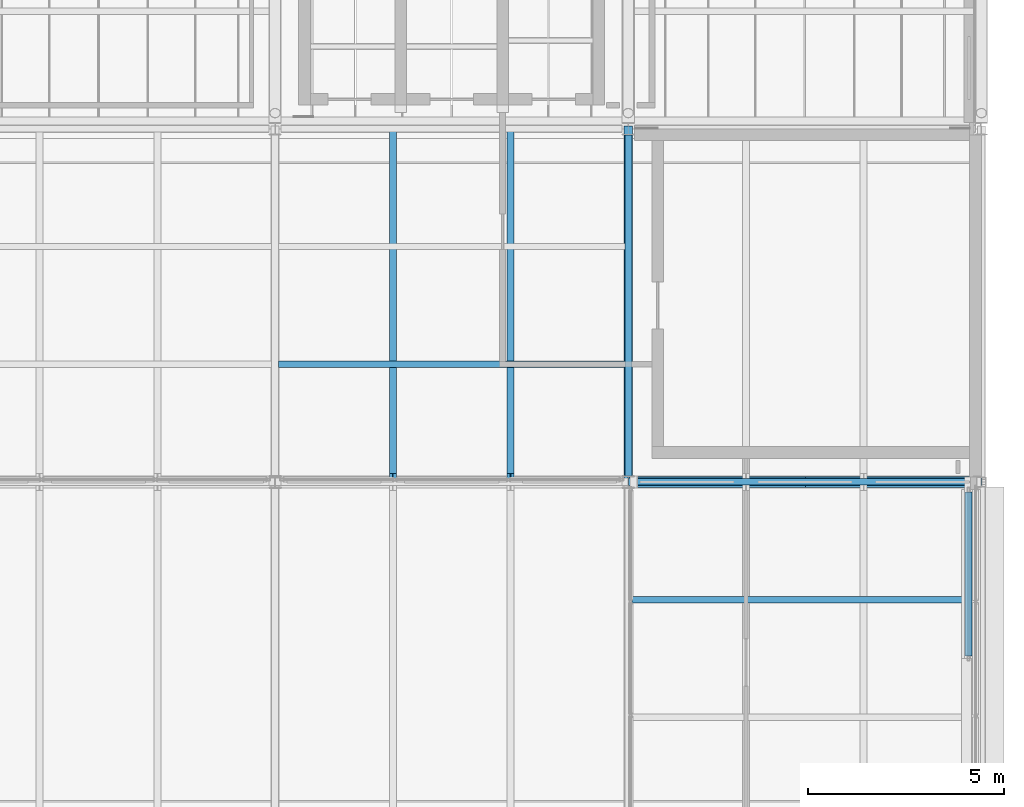
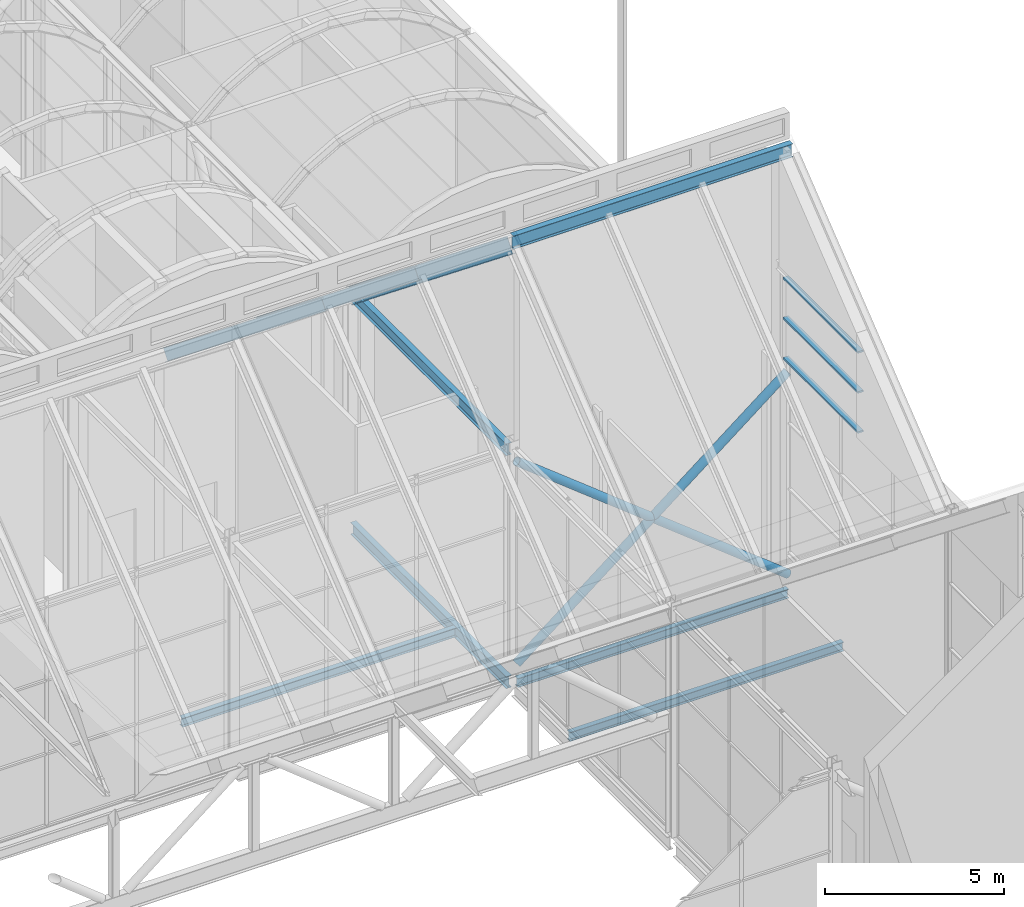
# One storey, part 91 of 144: 8 members, 6 beams, 1 element without a shape of its own.
"""IFC4 building model written with IfcOpenShell, lengths in metres."""

from ifc_helpers import new_model, si_unit, direction, frame, origin, origin_2d, place, context, subcontext, project, spatial, hollow_rectangle, hollow_circle, i_section, extrude, material, layer, layer_set, material_profile, profile_set, type_object, element, aggregate, save


model = new_model("IFC4")

# Units and contexts
model_context = context("Model", 3, precision=1e-05, world=origin(), true_north=direction((0.0, 1.0)))
body_context = subcontext(model_context, "Body", "Model", "MODEL_VIEW")
ifc_project = project(units=[si_unit("LENGTHUNIT", "METRE"), si_unit("AREAUNIT", "SQUARE_METRE"), si_unit("VOLUMEUNIT", "CUBIC_METRE"), si_unit("PLANEANGLEUNIT", "RADIAN"), si_unit("MASSUNIT", "GRAM", prefix="KILO")], contexts=[model_context])

# Site, building, storey
site_placement = place(None, origin())
site = spatial("IfcSite", under=ifc_project, at=site_placement, CompositionType="ELEMENT")
building_placement = place(site_placement, origin())
building = spatial("IfcBuilding", under=site, at=building_placement, Name="Shorebreak Coast Museum", CompositionType="ELEMENT")
storey_placement = place(building_placement, frame((0.0, 0.0, 36.0)))
storey = spatial("IfcBuildingStorey", under=building, at=storey_placement, Name="L06", CompositionType="ELEMENT", Elevation=36.0)

# Beams
ifc_material_1 = material(Name="Steel Grade 300", Category="steel")
ifc_material_profile_1 = material_profile(ifc_material_1, i_section(OverallWidth=0.166015625, OverallDepth=0.30712890625, WebThickness=0.006591796875, FlangeThickness=0.01171875, FilletRadius=0.011474609375, at=origin_2d()), Name="310UB46.2")
ifc_profile_set_1 = profile_set([ifc_material_profile_1], Name="Steel Grade 300")
beam_type_1 = type_object("IfcBeamType", Name="Floor girder east-west 310UB46.2", PredefinedType="BEAM", material=ifc_profile_set_1)
beam_1_placement = place(storey_placement, frame((108.153564453125, 81.0, -0.32861328125), z_axis=(1.0, 0.0, 0.0), x_axis=(0.0, 1.0, 0.0)))
element("IfcBeam", 1, at=beam_1_placement, inside=storey, type_object=beam_type_1, Name="Floor girder east-west L06 13K", PredefinedType="BEAM", context=body_context, shape_type="SweptSolid", body=[
    extrude(i_section(OverallWidth=0.166015625, OverallDepth=0.30712890625, WebThickness=0.006591796875, FlangeThickness=0.01171875, FilletRadius=0.011474609375, at=origin_2d()), origin(), (0.0, 0.0, 1.0), 8.721435546875),
])
ifc_material_2 = material(Name="Steel Grade 300", Category="steel")
ifc_material_profile_2 = material_profile(ifc_material_2, i_section(OverallWidth=0.177978515625, OverallDepth=0.406494140625, WebThickness=0.0078125, FlangeThickness=0.0126953125, FilletRadius=0.011474609375, at=origin_2d()), Name="410UB59.7")
ifc_profile_set_2 = profile_set([ifc_material_profile_2], Name="Steel Grade 300")
beam_type_2 = type_object("IfcBeamType", Name="Floor girder north-south 410UB59.7", PredefinedType="BEAM", material=ifc_profile_set_2)
beam_2_placement = place(storey_placement, frame((108.0, 81.1572265625, -0.378173828125), z_axis=(0.0, 1.0, 0.0), x_axis=(-1.0, 0.0, 0.0)))
element("IfcBeam", 2, at=beam_2_placement, inside=storey, type_object=beam_type_2, Name="Floor girder north-south L06 13K", PredefinedType="BEAM", context=body_context, shape_type="SweptSolid", body=[
    extrude(i_section(OverallWidth=0.177978515625, OverallDepth=0.406494140625, WebThickness=0.0078125, FlangeThickness=0.0126953125, FilletRadius=0.011474609375, at=origin_2d()), origin(), (0.0, 0.0, 1.0), 8.67919921875),
])
ifc_material_3 = material(Name="Steel Grade 300", Category="steel")
ifc_material_profile_3 = material_profile(ifc_material_3, i_section(OverallWidth=0.1650390625, OverallDepth=0.303955078125, WebThickness=0.006103515625, FlangeThickness=0.01025390625, FilletRadius=0.011474609375, at=origin_2d()), Name="310UB40.4")
ifc_profile_set_3 = profile_set([ifc_material_profile_3], Name="Steel Grade 300")
beam_type_3 = type_object("IfcBeamType", Name="Floor joist 310UB40.4", PredefinedType="JOIST", material=ifc_profile_set_3)
beam_3_placement = place(storey_placement, frame((108.095458984375, 78.0, -0.326904296875), z_axis=(1.0, 0.0, 0.0), x_axis=(0.0, 1.0, 0.0)))
element("IfcBeam", 3, at=beam_3_placement, inside=storey, type_object=beam_type_3, Name="Floor joist L06 bay 13J at 6000 mm", PredefinedType="JOIST", context=body_context, shape_type="SweptSolid", body=[
    extrude(i_section(OverallWidth=0.1650390625, OverallDepth=0.303955078125, WebThickness=0.006103515625, FlangeThickness=0.01025390625, FilletRadius=0.011474609375, at=origin_2d()), origin(), (0.0, 0.0, 1.0), 8.8154296875),
])
beam_4_placement = place(storey_placement, frame((99.089111328125, 84.0, -0.326904296875), z_axis=(1.0, 0.0, 0.0), x_axis=(0.0, 1.0, 0.0)))
element("IfcBeam", 4, at=beam_4_placement, inside=storey, type_object=beam_type_3, Name="Floor joist L06 bay 12K at 3000 mm", PredefinedType="JOIST", context=body_context, shape_type="SweptSolid", body=[
    extrude(i_section(OverallWidth=0.1650390625, OverallDepth=0.303955078125, WebThickness=0.006103515625, FlangeThickness=0.01025390625, FilletRadius=0.011474609375, at=origin_2d()), origin(), (0.0, 0.0, 1.0), 8.82177734375),
])

# Members
ifc_material_4 = material(Name="Steel Grade 300", Category="steel")
ifc_material_profile_4 = material_profile(ifc_material_4, i_section(OverallWidth=0.177978515625, OverallDepth=0.402587890625, WebThickness=0.007568359375, FlangeThickness=0.010986328125, FilletRadius=0.011474609375, at=origin_2d()), Name="410UB53.7")
ifc_profile_set_4 = profile_set([ifc_material_profile_4], Name="Steel Grade 300")
member_type_1 = type_object("IfcMemberType", Name="Fold rafter 410UB53.7", PredefinedType="RAFTER", material=ifc_profile_set_4)
for number, where, z_axis, x_axis, name in (
    (5, (102.0, 81.094970703125, 14.610107421875), (0.0, 0.780866698312, -0.624697686459), (-1.0, 0.0, 0.0), "Fold rafter FOLD-X line 4 17"),
    (6, (105.0, 81.094970703125, 14.610107421875), (0.0, 0.780866698312, -0.624697686459), (-1.0, 0.0, 0.0), "Fold rafter FOLD-X line 4 18"),
):
    element("IfcMember", number, at=place(storey_placement, frame(where, z_axis=z_axis, x_axis=x_axis)), inside=storey, type_object=member_type_1, Name=name, PredefinedType="RAFTER", context=body_context, shape_type="SweptSolid", body=[
        extrude(i_section(OverallWidth=0.177978515625, OverallDepth=0.402587890625, WebThickness=0.007568359375, FlangeThickness=0.010986328125, FilletRadius=0.011474609375, at=origin_2d()), origin(), (0.0, 0.0, 1.0), 11.282470703125),
    ])
ifc_material_5 = material(Name="Steel Grade 300", Category="steel")
ifc_material_profile_5 = material_profile(ifc_material_5, i_section(OverallWidth=0.208984375, OverallDepth=0.5283203125, WebThickness=0.009521484375, FlangeThickness=0.01318359375, FilletRadius=0.013916015625, at=origin_2d()), Name="530UB82.0")
ifc_profile_set_5 = profile_set([ifc_material_profile_5], Name="Steel Grade 300")
member_type_2 = type_object("IfcMemberType", Name="Fold rib rafter 530UB82.0", PredefinedType="RAFTER", material=ifc_profile_set_5)
member_1_placement = place(storey_placement, frame((108.0, 81.094970703125, 14.52978515625), z_axis=(0.0, 0.780866698312, -0.624697686459), x_axis=(-1.0, 0.0, 0.0)))
element("IfcMember", 7, at=member_1_placement, inside=storey, type_object=member_type_2, Name="Fold rib rafter FOLD-X line 4 19", PredefinedType="RAFTER", context=body_context, shape_type="SweptSolid", body=[
    extrude(i_section(OverallWidth=0.208984375, OverallDepth=0.5283203125, WebThickness=0.009521484375, FlangeThickness=0.01318359375, FilletRadius=0.013916015625, at=origin_2d()), origin(), (0.0, 0.0, 1.0), 11.282470703125),
])

# Beams
ifc_material_6 = material(Name="Steel Grade 300", Category="steel")
ifc_material_profile_6 = material_profile(ifc_material_6, i_section(OverallWidth=0.177978515625, OverallDepth=0.402587890625, WebThickness=0.007568359375, FlangeThickness=0.010986328125, FilletRadius=0.011474609375, at=origin_2d()), Name="410UB53.7")
ifc_profile_set_6 = profile_set([ifc_material_profile_6], Name="Steel Grade 300")
beam_type_4 = type_object("IfcBeamType", Name="Fold rib tie 410UB53.7", PredefinedType="BEAM", material=ifc_profile_set_6)
beam_5_placement = place(storey_placement, frame((108.0, 81.1572265625, 7.54248046875), z_axis=(0.0, 1.0, 0.0), x_axis=(-1.0, 0.0, 0.0)))
element("IfcBeam", 8, at=beam_5_placement, inside=storey, type_object=beam_type_4, Name="Fold rib tie FOLD-X rib 13 K-L", PredefinedType="BEAM", context=body_context, shape_type="SweptSolid", body=[
    extrude(i_section(OverallWidth=0.177978515625, OverallDepth=0.402587890625, WebThickness=0.007568359375, FlangeThickness=0.010986328125, FilletRadius=0.011474609375, at=origin_2d()), origin(), (0.0, 0.0, 1.0), 8.67919921875),
])
ifc_material_7 = material(Name="Steel Grade 300", Category="steel")
ifc_material_profile_7 = material_profile(ifc_material_7, i_section(OverallWidth=0.18994140625, OverallDepth=0.453857421875, WebThickness=0.008544921875, FlangeThickness=0.0126953125, FilletRadius=0.011474609375, at=origin_2d()), Name="460UB67.1")
ifc_profile_set_7 = profile_set([ifc_material_profile_7], Name="Steel Grade 300")
beam_type_5 = type_object("IfcBeamType", Name="Fold ridge beam 460UB67.1", PredefinedType="BEAM", material=ifc_profile_set_7)
beam_6_placement = place(storey_placement, frame((108.0, 81.0, 14.717041015625), z_axis=(1.0, 0.0, 0.0), x_axis=(0.0, 1.0, 0.0)))
element("IfcBeam", 9, at=beam_6_placement, inside=storey, type_object=beam_type_5, Name="Fold ridge beam FOLD-X line K bay 13K", PredefinedType="BEAM", context=body_context, shape_type="SweptSolid", body=[
    extrude(i_section(OverallWidth=0.18994140625, OverallDepth=0.453857421875, WebThickness=0.008544921875, FlangeThickness=0.0126953125, FilletRadius=0.011474609375, at=origin_2d()), origin(), (0.0, 0.0, 1.0), 9.0),
])

# Curtain wall, members
ifc_material_8 = material(Name="Aluminium", Category="aluminium")
ifc_layer = layer(ifc_material_8, 0.175048828125)
ifc_layer_set = layer_set([ifc_layer], Name="Aluminium")
curtain_wall_type = type_object("IfcCurtainWallType", Name="Gable curtain wall", PredefinedType="NOTDEFINED", material=ifc_layer_set)
curtain_wall_placement = place(storey_placement, origin())
curtain_wall = element("IfcCurtainWall", 10, at=curtain_wall_placement, inside=storey, type_object=curtain_wall_type, Name="Gable glazing FOLD-X-117-2", PredefinedType="NOTDEFINED")
ifc_material_9 = material(Name="Aluminium", Category="aluminium")
ifc_material_profile_8 = material_profile(ifc_material_9, hollow_rectangle(XDim=0.175048828125, YDim=0.06005859375, WallThickness=0.00390625, at=origin_2d()), Name="AL 60x175 RHS")
ifc_profile_set_8 = profile_set([ifc_material_profile_8], Name="Aluminium")
member_type_3 = type_object("IfcMemberType", Name="Gable transom 175 x 60", PredefinedType="USERDEFINED", material=ifc_profile_set_8)
member_2_placement = place(storey_placement, frame((116.66943359375, 76.56005859375, 7.887451171875), z_axis=(0.0, 1.0, 0.0), x_axis=(-1.0, 0.0, 0.0)))
member_2 = element("IfcMember", 11, at=member_2_placement, type_object=member_type_3, Name="CW9 transom 1.1", ObjectType="TRANSOM", PredefinedType="USERDEFINED", context=body_context, shape_type="SweptSolid", body=[
    extrude(hollow_rectangle(XDim=0.175048828125, YDim=0.06005859375, WallThickness=0.00390625, at=origin_2d()), origin(), (0.0, 0.0, 1.0), 4.182861328125),
])
member_3_placement = place(storey_placement, frame((116.66943359375, 76.56005859375, 9.2509765625), z_axis=(0.0, 1.0, 0.0), x_axis=(-1.0, 0.0, 0.0)))
member_3 = element("IfcMember", 12, at=member_3_placement, type_object=member_type_3, Name="CW9 transom 1.2", ObjectType="TRANSOM", PredefinedType="USERDEFINED", context=body_context, shape_type="SweptSolid", body=[
    extrude(hollow_rectangle(XDim=0.175048828125, YDim=0.06005859375, WallThickness=0.00390625, at=origin_2d()), origin(), (0.0, 0.0, 1.0), 4.182861328125),
])
member_4_placement = place(storey_placement, frame((116.66943359375, 76.56005859375, 10.614501953125), z_axis=(0.0, 1.0, 0.0), x_axis=(-1.0, 0.0, 0.0)))
member_4 = element("IfcMember", 13, at=member_4_placement, type_object=member_type_3, Name="CW9 transom 1.3", ObjectType="TRANSOM", PredefinedType="USERDEFINED", context=body_context, shape_type="SweptSolid", body=[
    extrude(hollow_rectangle(XDim=0.175048828125, YDim=0.06005859375, WallThickness=0.00390625, at=origin_2d()), origin(), (0.0, 0.0, 1.0), 4.182861328125),
])
aggregate(curtain_wall, [member_2, member_3, member_4])

# Members
ifc_material_10 = material(Name="Steel Grade C350L0", Category="steel")
ifc_material_profile_9 = material_profile(ifc_material_10, hollow_circle(Radius=0.136474609375, WallThickness=0.00927734375, at=origin_2d()), Name="273.1x9.3 CHS")
ifc_profile_set_9 = profile_set([ifc_material_profile_9], Name="Steel Grade C350L0")
member_type_4 = type_object("IfcMemberType", Name="X-brace 273.1x9.3 CHS", PredefinedType="BRACE", material=ifc_profile_set_9)
for number, where, z_axis, x_axis, name in (
    (14, (108.153564453125, 81.0, 0.300048828125), (0.785079055174, 0.0, 0.619395574029), (0.0, 1.0, 0.0), "X-brace bay 04 L06 diagonal 1"),
    (15, (116.875, 81.0, 0.300048828125), (-0.785079055174, 0.0, 0.619395574029), (0.0, -1.0, 0.0), "X-brace bay 04 L06 diagonal 2"),
):
    element("IfcMember", number, at=place(storey_placement, frame(where, z_axis=z_axis, x_axis=x_axis)), inside=storey, type_object=member_type_4, Name=name, PredefinedType="BRACE", context=body_context, shape_type="SweptSolid", body=[
        extrude(hollow_circle(Radius=0.136474609375, WallThickness=0.00927734375, at=origin_2d()), origin(), (0.0, 0.0, 1.0), 11.10888671875),
    ])

save(model, "model.ifc")
